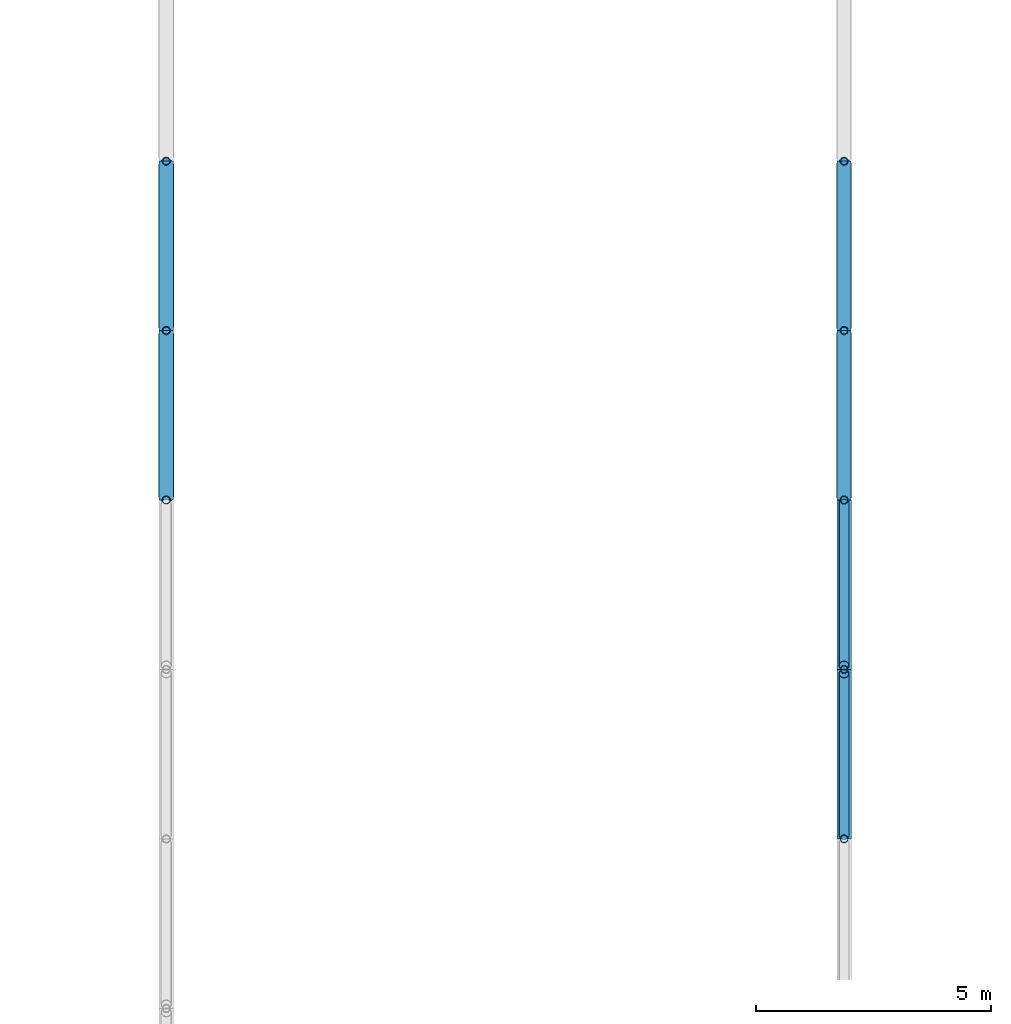
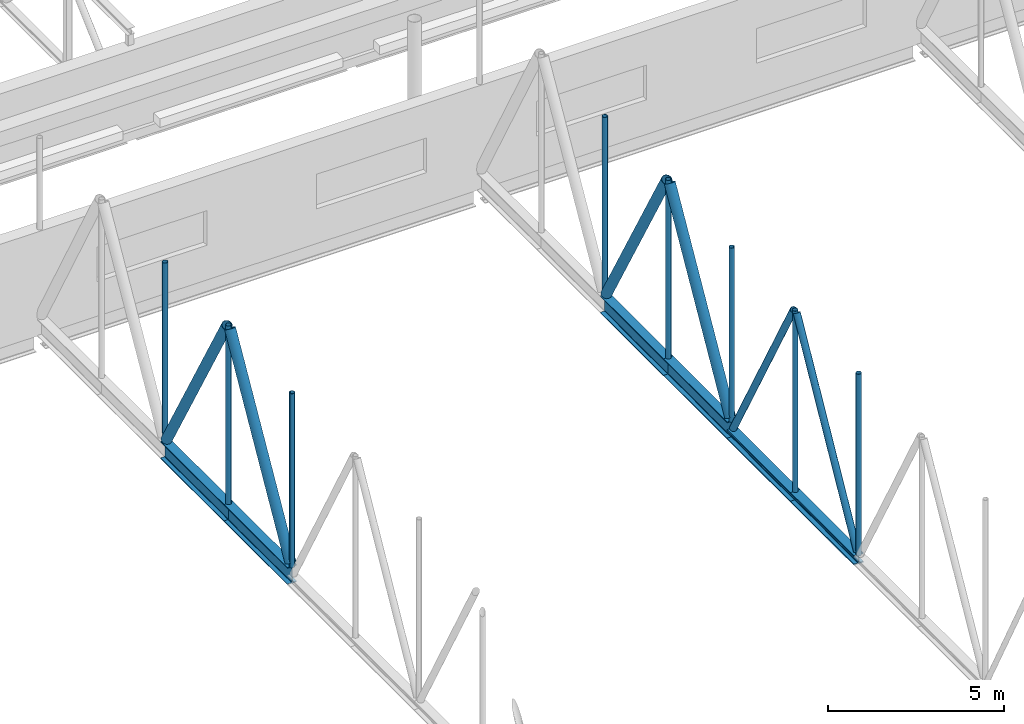
# One storey, part 66 of 142: 20 members.
"""IFC4 building model written with IfcOpenShell, lengths in metres."""

import ifcopenshell
import ifcopenshell.guid

model = None  # the IFC model being written
_history = None  # IfcOwnerHistory: only IFC2X3 demands one
_inside = {}  # id of a spatial element -> (the spatial element, [elements in it])
_under = {}  # id of a project, library or spatial element -> (it, [spatial elements below it])
_declared = {}  # id of a project -> (the project, [libraries it declares])
_typed = {}  # id of a type object -> (the type object, [elements of that type])
_made_of = {}  # id of a material, layer set ... -> (it, [elements and type objects made of it])


def new_model(schema):
    """Start an empty IFC model of exactly this schema.

    Asked for "IFC4X3", IfcOpenShell would pick the latest addendum, in which some entities
    have other attributes; the version numbers below select the first issue.
    IFC2X3 requires an IfcOwnerHistory on every rooted entity: one is made here for all.
    """
    global model, _history
    if schema == "IFC4X3":
        model = ifcopenshell.file(schema_version=(4, 3, 0, 0))
    else:
        model = ifcopenshell.file(schema=schema)
    _inside.clear()
    _under.clear()
    _declared.clear()
    _typed.clear()
    _made_of.clear()
    _history = None
    if model.schema == "IFC2X3":
        org = make("IfcOrganization", Name="unknown")
        user = make(
            "IfcPersonAndOrganization",
            ThePerson=make("IfcPerson", FamilyName="unknown"),
            TheOrganization=org,
        )
        app = make(
            "IfcApplication",
            ApplicationDeveloper=org,
            Version="unknown",
            ApplicationFullName="unknown",
            ApplicationIdentifier="unknown",
        )
        _history = make(
            "IfcOwnerHistory",
            OwningUser=user,
            OwningApplication=app,
            ChangeAction="ADDED",
            CreationDate=0,
        )
    return model


def make(cls, **values):
    """One entity of the class cls with the attributes given. An attribute that is None is left unset."""
    return model.create_entity(
        cls, **{name: value for name, value in values.items() if value is not None}
    )


def rooted(cls, **values):
    """An entity with a GlobalId (a new one), such as an element, a storey or a relation."""
    return make(cls, GlobalId=ifcopenshell.guid.new(), OwnerHistory=_history, **values)


def si_unit(unit_type, name, prefix=None):
    """IfcSIUnit, for example si_unit("LENGTHUNIT", "METRE", prefix="MILLI")."""
    return make("IfcSIUnit", UnitType=unit_type, Prefix=prefix, Name=name)


def assignment(units):
    """IfcUnitAssignment: the units of a project."""
    return None if units is None else make("IfcUnitAssignment", Units=units)


def point(xyz):
    """IfcCartesianPoint."""
    return None if xyz is None else make("IfcCartesianPoint", Coordinates=xyz)


def direction(xyz):
    """IfcDirection."""
    return None if xyz is None else make("IfcDirection", DirectionRatios=xyz)


def frame(location, z_axis=None, x_axis=None):
    """IfcAxis2Placement3D, a coordinate frame: its origin and axes. An axis left out is left unset."""
    return make(
        "IfcAxis2Placement3D",
        Location=point(location),
        Axis=direction(z_axis),
        RefDirection=direction(x_axis),
    )


def frame_2d(location, x_axis=None):
    """IfcAxis2Placement2D, a coordinate frame in the plane: its origin and x axis."""
    return make(
        "IfcAxis2Placement2D", Location=point(location), RefDirection=direction(x_axis)
    )


def origin():
    """The frame at (0, 0, 0) with its axes left unset."""
    return frame((0.0, 0.0, 0.0))


def origin_2d():
    """The frame at (0, 0) in the plane with its x axis left unset."""
    return frame_2d((0.0, 0.0))


def place(relative_to, where):
    """IfcLocalPlacement: puts the frame where relative to a parent placement (None: the world)."""
    return make(
        "IfcLocalPlacement", PlacementRelTo=relative_to, RelativePlacement=where
    )


def context(
    kind, dimensions, precision=None, world=None, true_north=None, identifier=None
):
    """IfcGeometricRepresentationContext, for example the 3D "Model" context."""
    return make(
        "IfcGeometricRepresentationContext",
        ContextIdentifier=identifier,
        ContextType=kind,
        CoordinateSpaceDimension=dimensions,
        Precision=precision,
        WorldCoordinateSystem=world,
        TrueNorth=true_north,
    )


def subcontext(parent, identifier, kind, view, scale=None):
    """IfcGeometricRepresentationSubContext, for example "Body" below "Model"."""
    return make(
        "IfcGeometricRepresentationSubContext",
        ContextIdentifier=identifier,
        ContextType=kind,
        ParentContext=parent,
        TargetScale=scale,
        TargetView=view,
    )


def project(units=None, contexts=None):
    """IfcProject with its units and contexts."""
    return rooted(
        "IfcProject",
        Name="project",
        RepresentationContexts=contexts,
        UnitsInContext=assignment(units),
    )


def spatial(cls, under=None, at=None, **own):
    """A site, building, storey or space (cls), placed at a placement, below another one or the project."""
    s = rooted(cls, ObjectPlacement=at, **own)
    if under is not None:
        _under.setdefault(under.id(), (under, []))[1].append(s)
    return s


def profile(cls, at=None, kind="AREA", **sizes):
    """A parametric profile (cls). Its sizes go by their IFC names, for example OverallWidth=200.0."""
    return make(cls, ProfileType=kind, Position=at, **sizes)


def hollow_circle(**sizes):
    """IfcCircleHollowProfileDef."""
    return profile("IfcCircleHollowProfileDef", **sizes)


def i_section(**sizes):
    """IfcIShapeProfileDef."""
    return profile("IfcIShapeProfileDef", **sizes)


def extrude(swept, where, along, depth):
    """IfcExtrudedAreaSolid: the profile swept, set in the frame where, extruded along a direction by depth."""
    return make(
        "IfcExtrudedAreaSolid",
        SweptArea=swept,
        Position=where,
        ExtrudedDirection=direction(along),
        Depth=depth,
    )


def shape(context_of_items, identifier, shape_type, items):
    """IfcShapeRepresentation: the items that make up one representation, for example the "Body"."""
    return make(
        "IfcShapeRepresentation",
        ContextOfItems=context_of_items,
        RepresentationIdentifier=identifier,
        RepresentationType=shape_type,
        Items=items,
    )


def material(Name=None, Category=None):
    """IfcMaterial."""
    return make("IfcMaterial", Name=Name, Category=Category)


def material_profile(
    of_material, cross_section, Name=None, Category=None, Priority=None
):
    """IfcMaterialProfile: a cross section and its material."""
    return make(
        "IfcMaterialProfile",
        Name=Name,
        Material=of_material,
        Profile=cross_section,
        Priority=Priority,
        Category=Category,
    )


def profile_set(profiles, Name=None, composite=None):
    """IfcMaterialProfileSet."""
    return make(
        "IfcMaterialProfileSet",
        Name=Name,
        MaterialProfiles=profiles,
        CompositeProfile=composite,
    )


def made_of(thing, what):
    """Note that an element or type object is made of a material, layer set ...; save() writes the relation."""
    if what is not None:
        _made_of.setdefault(what.id(), (what, []))[1].append(thing)
    return thing


def type_object(cls, material=None, **own):
    """A type object (cls), such as IfcWallType, which elements share."""
    return made_of(rooted(cls, **own), material)


def element(
    cls,
    number,
    at=None,
    inside=None,
    cuts=None,
    type_object=None,
    material=None,
    context=None,
    identifier="Body",
    shape_type=None,
    held_by="IfcProductDefinitionShape",
    body=None,
    shapes=None,
    **own,
):
    """One element of the class cls, such as IfcWall. Its Tag is "e" and its number.

    at: its placement. inside: the storey or other place that contains it. cuts: it is an
    opening in that element (IfcRelVoidsElement). A single representation is given by context,
    identifier, shape_type and body (its items); several are given by shapes. held_by: the class
    of the entity that holds the representations. save() writes the other relations.
    """
    e = rooted(cls, Tag="e%d" % number, ObjectPlacement=at, **own)
    if body is not None:
        shapes = [shape(context, identifier, shape_type, body)]
    if shapes is not None:
        e.Representation = make(held_by, Representations=shapes)
    if inside is not None:
        _inside.setdefault(inside.id(), (inside, []))[1].append(e)
    if cuts is not None:
        rooted(
            "IfcRelVoidsElement", RelatingBuildingElement=cuts, RelatedOpeningElement=e
        )
    if type_object is not None:
        _typed.setdefault(type_object.id(), (type_object, []))[1].append(e)
    return made_of(e, material)


def aggregate(whole, parts):
    """IfcRelAggregates: a whole, such as a stair, and the parts it consists of."""
    return rooted("IfcRelAggregates", RelatingObject=whole, RelatedObjects=parts)


def save(model, path):
    """Write the relations noted so far, then the file.

    IfcRelAggregates (storeys below a building ...), IfcRelContainedInSpatialStructure (elements
    in a storey), IfcRelDefinesByType, IfcRelAssociatesMaterial and IfcRelDeclares: one each for
    every whole, place, type object, material and project.
    """
    for whole, parts in _under.values():
        aggregate(whole, parts)
    for where, things in _inside.values():
        rooted(
            "IfcRelContainedInSpatialStructure",
            RelatedElements=things,
            RelatingStructure=where,
        )
    for kind, things in _typed.values():
        rooted("IfcRelDefinesByType", RelatedObjects=things, RelatingType=kind)
    for what, things in _made_of.values():
        rooted("IfcRelAssociatesMaterial", RelatedObjects=things, RelatingMaterial=what)
    for by, libraries in _declared.values():
        rooted("IfcRelDeclares", RelatingContext=by, RelatedDefinitions=libraries)
    model.write(path)


model = new_model("IFC4")

# Units and contexts
model_context = context("Model", 3, precision=1e-05, world=origin(), true_north=direction((0.0, 1.0)))
body_context = subcontext(model_context, "Body", "Model", "MODEL_VIEW")
ifc_project = project(units=[si_unit("LENGTHUNIT", "METRE"), si_unit("AREAUNIT", "SQUARE_METRE"), si_unit("VOLUMEUNIT", "CUBIC_METRE"), si_unit("PLANEANGLEUNIT", "RADIAN"), si_unit("MASSUNIT", "GRAM", prefix="KILO")], contexts=[model_context])

# Site, building, storey
site_placement = place(None, origin())
site = spatial("IfcSite", under=ifc_project, at=site_placement, CompositionType="ELEMENT")
building_placement = place(site_placement, origin())
building = spatial("IfcBuilding", under=site, at=building_placement, Name="Kupolbacken Congress Centre", CompositionType="ELEMENT")
storey_placement = place(building_placement, frame((0.0, 0.0, 14.39990234375)))
storey = spatial("IfcBuildingStorey", under=building, at=storey_placement, Name="L04", CompositionType="ELEMENT", Elevation=14.39990234375)

# Members
ifc_material_1 = material(Name="Steel S355", Category="steel")
ifc_material_profile_1 = material_profile(ifc_material_1, i_section(OverallWidth=0.31005859375, OverallDepth=0.340087890625, WebThickness=0.02099609375, FlangeThickness=0.0390625, FilletRadius=0.027099609375, at=origin_2d()), Name="HEM 300")
ifc_profile_set_1 = profile_set([ifc_material_profile_1], Name="Steel S355")
member_type_1 = type_object("IfcMemberType", Name="M01 transfer truss chord HEM 300", PredefinedType="CHORD", material=ifc_profile_set_1)
member_1_placement = place(storey_placement, frame((165.60009765625, 93.60009765625, 0.16015625), z_axis=(0.0, 1.0, 0.0), x_axis=(-1.0, 0.0, 0.0)))
element("IfcMember", 1, at=member_1_placement, inside=storey, type_object=member_type_1, Name="HT/T6/BC15", PredefinedType="CHORD", context=body_context, shape_type="SweptSolid", body=[
    extrude(i_section(OverallWidth=0.31005859375, OverallDepth=0.340087890625, WebThickness=0.02099609375, FlangeThickness=0.0390625, FilletRadius=0.027099609375, at=origin_2d()), origin(), (0.0, 0.0, 1.0), 3.599853515625),
])
member_2_placement = place(storey_placement, frame((165.60009765625, 97.199951171875, 0.16015625), z_axis=(0.0, 1.0, 0.0), x_axis=(-1.0, 0.0, 0.0)))
element("IfcMember", 2, at=member_2_placement, inside=storey, type_object=member_type_1, Name="HT/T6/BC16", PredefinedType="CHORD", context=body_context, shape_type="SweptSolid", body=[
    extrude(i_section(OverallWidth=0.31005859375, OverallDepth=0.340087890625, WebThickness=0.02099609375, FlangeThickness=0.0390625, FilletRadius=0.027099609375, at=origin_2d()), origin(), (0.0, 0.0, 1.0), 3.60009765625),
])
ifc_material_2 = material(Name="Steel S355", Category="steel")
ifc_material_profile_2 = material_profile(ifc_material_2, i_section(OverallWidth=0.300048828125, OverallDepth=0.60009765625, WebThickness=0.015380859375, FlangeThickness=0.030029296875, FilletRadius=0.027099609375, at=origin_2d()), Name="HEB 600")
ifc_profile_set_2 = profile_set([ifc_material_profile_2], Name="Steel S355")
member_type_2 = type_object("IfcMemberType", Name="M02 transfer truss chord HEB 600", PredefinedType="CHORD", material=ifc_profile_set_2)
member_3_placement = place(storey_placement, frame((151.199951171875, 100.800048828125, 0.2900390625), z_axis=(0.0, 1.0, 0.0), x_axis=(-1.0, 0.0, 0.0)))
element("IfcMember", 3, at=member_3_placement, inside=storey, type_object=member_type_2, Name="HT/T5/BC17", PredefinedType="CHORD", context=body_context, shape_type="SweptSolid", body=[
    extrude(i_section(OverallWidth=0.300048828125, OverallDepth=0.60009765625, WebThickness=0.015380859375, FlangeThickness=0.030029296875, FilletRadius=0.027099609375, at=origin_2d()), origin(), (0.0, 0.0, 1.0), 3.599853515625),
])
member_4_placement = place(storey_placement, frame((151.199951171875, 104.39990234375, 0.2900390625), z_axis=(0.0, 1.0, 0.0), x_axis=(-1.0, 0.0, 0.0)))
element("IfcMember", 4, at=member_4_placement, inside=storey, type_object=member_type_2, Name="HT/T5/BC18", PredefinedType="CHORD", context=body_context, shape_type="SweptSolid", body=[
    extrude(i_section(OverallWidth=0.300048828125, OverallDepth=0.60009765625, WebThickness=0.015380859375, FlangeThickness=0.030029296875, FilletRadius=0.027099609375, at=origin_2d()), origin(), (0.0, 0.0, 1.0), 3.60009765625),
])
member_5_placement = place(storey_placement, frame((165.60009765625, 100.800048828125, 0.2900390625), z_axis=(0.0, 1.0, 0.0), x_axis=(-1.0, 0.0, 0.0)))
element("IfcMember", 5, at=member_5_placement, inside=storey, type_object=member_type_2, Name="HT/T6/BC17", PredefinedType="CHORD", context=body_context, shape_type="SweptSolid", body=[
    extrude(i_section(OverallWidth=0.300048828125, OverallDepth=0.60009765625, WebThickness=0.015380859375, FlangeThickness=0.030029296875, FilletRadius=0.027099609375, at=origin_2d()), origin(), (0.0, 0.0, 1.0), 3.599853515625),
])
member_6_placement = place(storey_placement, frame((165.60009765625, 104.39990234375, 0.2900390625), z_axis=(0.0, 1.0, 0.0), x_axis=(-1.0, 0.0, 0.0)))
element("IfcMember", 6, at=member_6_placement, inside=storey, type_object=member_type_2, Name="HT/T6/BC18", PredefinedType="CHORD", context=body_context, shape_type="SweptSolid", body=[
    extrude(i_section(OverallWidth=0.300048828125, OverallDepth=0.60009765625, WebThickness=0.015380859375, FlangeThickness=0.030029296875, FilletRadius=0.027099609375, at=origin_2d()), origin(), (0.0, 0.0, 1.0), 3.60009765625),
])
ifc_material_3 = material(Name="Steel S355", Category="steel")
ifc_material_profile_3 = material_profile(ifc_material_3, hollow_circle(Radius=0.161865234375, WallThickness=0.012451171875, at=origin_2d()), Name="CHS 323.9 x 12.5")
ifc_profile_set_3 = profile_set([ifc_material_profile_3], Name="Steel S355")
member_type_3 = type_object("IfcMemberType", Name="M04 transfer truss web CHS 323.9 x 12.5", PredefinedType="BRACE", material=ifc_profile_set_3)
member_7_placement = place(storey_placement, frame((151.199951171875, 100.884033203125, 0.658935546875), z_axis=(0.0, 0.494482554546, 0.869187553552), x_axis=(-1.0, 0.0, 0.0)))
element("IfcMember", 7, at=member_7_placement, inside=storey, type_object=member_type_3, Name="HT/T5/D17", PredefinedType="BRACE", context=body_context, shape_type="SweptSolid", body=[
    extrude(hollow_circle(Radius=0.161865234375, WallThickness=0.012451171875, at=origin_2d()), origin(), (0.0, 0.0, 1.0), 6.9404296875),
])
member_8_placement = place(storey_placement, frame((151.199951171875, 104.484130859375, 6.69140625), z_axis=(0.0, 0.494455978115, -0.869202672399), x_axis=(-1.0, 0.0, 0.0)))
element("IfcMember", 8, at=member_8_placement, inside=storey, type_object=member_type_3, Name="HT/T5/D18", PredefinedType="BRACE", context=body_context, shape_type="SweptSolid", body=[
    extrude(hollow_circle(Radius=0.161865234375, WallThickness=0.012451171875, at=origin_2d()), origin(), (0.0, 0.0, 1.0), 6.940185546875),
])
member_9_placement = place(storey_placement, frame((165.60009765625, 100.884033203125, 0.658935546875), z_axis=(0.0, 0.494482554546, 0.869187553552), x_axis=(-1.0, 0.0, 0.0)))
element("IfcMember", 9, at=member_9_placement, inside=storey, type_object=member_type_3, Name="HT/T6/D17", PredefinedType="BRACE", context=body_context, shape_type="SweptSolid", body=[
    extrude(hollow_circle(Radius=0.161865234375, WallThickness=0.012451171875, at=origin_2d()), origin(), (0.0, 0.0, 1.0), 6.9404296875),
])
member_10_placement = place(storey_placement, frame((165.60009765625, 104.484130859375, 6.69140625), z_axis=(0.0, 0.494455978115, -0.869202672399), x_axis=(-1.0, 0.0, 0.0)))
element("IfcMember", 10, at=member_10_placement, inside=storey, type_object=member_type_3, Name="HT/T6/D18", PredefinedType="BRACE", context=body_context, shape_type="SweptSolid", body=[
    extrude(hollow_circle(Radius=0.161865234375, WallThickness=0.012451171875, at=origin_2d()), origin(), (0.0, 0.0, 1.0), 6.940185546875),
])
ifc_material_4 = material(Name="Steel S355", Category="steel")
ifc_material_profile_4 = material_profile(ifc_material_4, hollow_circle(Radius=0.109619140625, WallThickness=0.010009765625, at=origin_2d()), Name="CHS 219.1 x 10")
ifc_profile_set_4 = profile_set([ifc_material_profile_4], Name="Steel S355")
member_type_4 = type_object("IfcMemberType", Name="M05 transfer truss web CHS 219.1 x 10", PredefinedType="BRACE", material=ifc_profile_set_4)
member_11_placement = place(storey_placement, frame((165.60009765625, 93.68408203125, 0.372802734375), z_axis=(0.0, 0.485197410842, 0.87440463889), x_axis=(-1.0, 0.0, 0.0)))
element("IfcMember", 11, at=member_11_placement, inside=storey, type_object=member_type_4, Name="HT/T6/D15", PredefinedType="BRACE", context=body_context, shape_type="SweptSolid", body=[
    extrude(hollow_circle(Radius=0.109619140625, WallThickness=0.010009765625, at=origin_2d()), origin(), (0.0, 0.0, 1.0), 7.0732421875),
])
member_12_placement = place(storey_placement, frame((165.60009765625, 97.2841796875, 6.5576171875), z_axis=(0.0, 0.48517101949, -0.874419282637), x_axis=(-1.0, 0.0, 0.0)))
element("IfcMember", 12, at=member_12_placement, inside=storey, type_object=member_type_4, Name="HT/T6/D16", PredefinedType="BRACE", context=body_context, shape_type="SweptSolid", body=[
    extrude(hollow_circle(Radius=0.109619140625, WallThickness=0.010009765625, at=origin_2d()), origin(), (0.0, 0.0, 1.0), 7.072998046875),
])
ifc_material_5 = material(Name="Steel S355", Category="steel")
ifc_material_profile_5 = material_profile(ifc_material_5, hollow_circle(Radius=0.084228515625, WallThickness=0.008056640625, at=origin_2d()), Name="CHS 168.3 x 8")
ifc_profile_set_5 = profile_set([ifc_material_profile_5], Name="Steel S355")
member_type_5 = type_object("IfcMemberType", Name="M20 transfer truss post CHS 168.3 x 8", PredefinedType="STRUT", material=ifc_profile_set_5)
member_13_placement = place(storey_placement, frame((151.199951171875, 100.800048828125, 0.580078125), z_axis=(0.0, 0.0, 1.0), x_axis=(0.0, 1.0, 0.0)))
element("IfcMember", 13, at=member_13_placement, inside=storey, type_object=member_type_5, Name="HT/T5/P16", PredefinedType="STRUT", context=body_context, shape_type="SweptSolid", body=[
    extrude(hollow_circle(Radius=0.084228515625, WallThickness=0.008056640625, at=origin_2d()), origin(), (0.0, 0.0, 1.0), 6.030029296875),
])
for number, where, z_axis, x_axis, name in (
    (14, (151.199951171875, 104.39990234375, 0.580078125), (0.0, 0.0, 1.0), (0.0, 1.0, 0.0), "HT/T5/P17"),
    (15, (151.199951171875, 108.0, 0.580078125), (0.0, 0.0, 1.0), (0.0, 1.0, 0.0), "HT/T5/P18"),
):
    element("IfcMember", number, at=place(storey_placement, frame(where, z_axis=z_axis, x_axis=x_axis)), inside=storey, type_object=member_type_5, Name=name, PredefinedType="STRUT", context=body_context, shape_type="SweptSolid", body=[
        extrude(hollow_circle(Radius=0.084228515625, WallThickness=0.008056640625, at=origin_2d()), origin(), (0.0, 0.0, 1.0), 6.18994140625),
    ])
for number, where, z_axis, x_axis, name in (
    (16, (165.60009765625, 93.60009765625, 0.320068359375), (0.0, 0.0, 1.0), (0.0, 1.0, 0.0), "HT/T6/P14"),
    (17, (165.60009765625, 97.199951171875, 0.320068359375), (0.0, 0.0, 1.0), (0.0, 1.0, 0.0), "HT/T6/P15"),
):
    element("IfcMember", number, at=place(storey_placement, frame(where, z_axis=z_axis, x_axis=x_axis)), inside=storey, type_object=member_type_5, Name=name, PredefinedType="STRUT", context=body_context, shape_type="SweptSolid", body=[
        extrude(hollow_circle(Radius=0.084228515625, WallThickness=0.008056640625, at=origin_2d()), origin(), (0.0, 0.0, 1.0), 6.2900390625),
    ])
member_14_placement = place(storey_placement, frame((165.60009765625, 100.800048828125, 0.580078125), z_axis=(0.0, 0.0, 1.0), x_axis=(0.0, 1.0, 0.0)))
element("IfcMember", 18, at=member_14_placement, inside=storey, type_object=member_type_5, Name="HT/T6/P16", PredefinedType="STRUT", context=body_context, shape_type="SweptSolid", body=[
    extrude(hollow_circle(Radius=0.084228515625, WallThickness=0.008056640625, at=origin_2d()), origin(), (0.0, 0.0, 1.0), 6.030029296875),
])
for number, where, z_axis, x_axis, name in (
    (19, (165.60009765625, 104.39990234375, 0.580078125), (0.0, 0.0, 1.0), (0.0, 1.0, 0.0), "HT/T6/P17"),
    (20, (165.60009765625, 108.0, 0.580078125), (0.0, 0.0, 1.0), (0.0, 1.0, 0.0), "HT/T6/P18"),
):
    element("IfcMember", number, at=place(storey_placement, frame(where, z_axis=z_axis, x_axis=x_axis)), inside=storey, type_object=member_type_5, Name=name, PredefinedType="STRUT", context=body_context, shape_type="SweptSolid", body=[
        extrude(hollow_circle(Radius=0.084228515625, WallThickness=0.008056640625, at=origin_2d()), origin(), (0.0, 0.0, 1.0), 6.18994140625),
    ])

save(model, "model.ifc")
